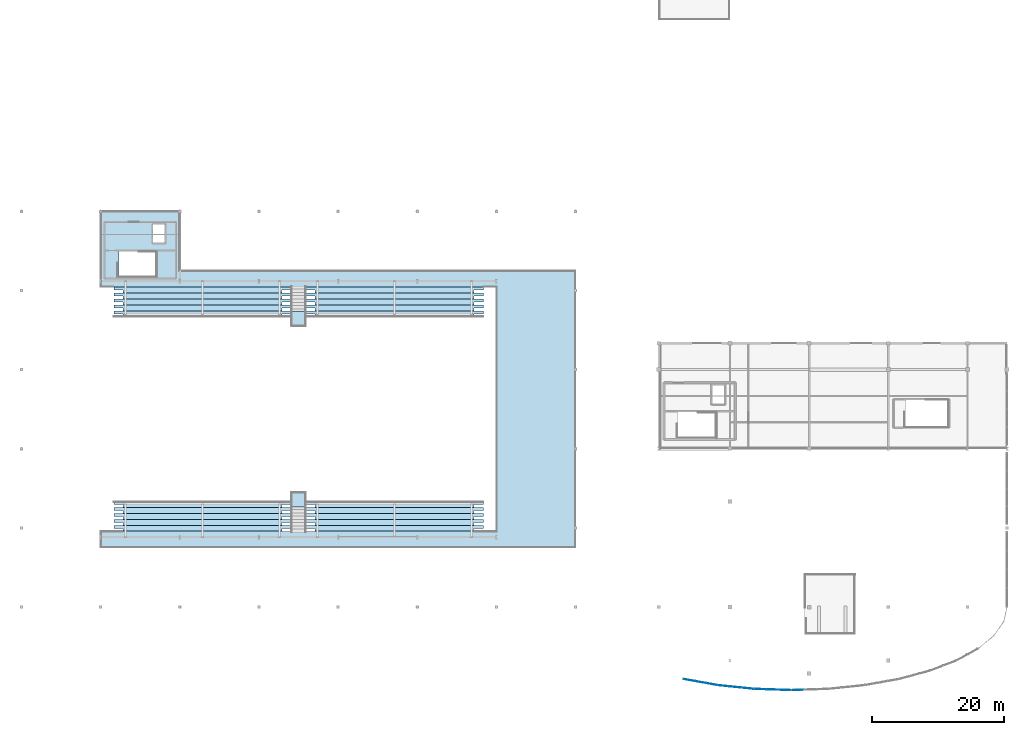
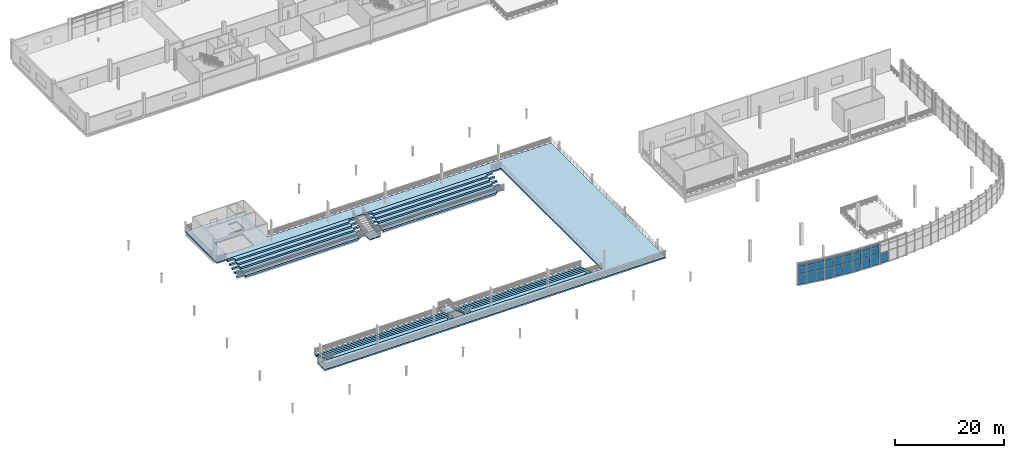
# One storey, part 29 of 52: 28 plates, 23 slabs, 6 elements without a shape of their own.
"""IFC4 building model written with IfcOpenShell, lengths in metres."""

from ifc_helpers import new_model, si_unit, direction, frame, origin, origin_2d, place, context, subcontext, project, spatial, polyline, rectangle, outline, extrude, material, layer, layer_set, type_object, element, aggregate, save


model = new_model("IFC4")

# Units and contexts
model_context = context("Model", 3, precision=1e-05, world=origin(), true_north=direction((0.0, 1.0)))
body_context = subcontext(model_context, "Body", "Model", "MODEL_VIEW")
ifc_project = project(units=[si_unit("LENGTHUNIT", "METRE"), si_unit("AREAUNIT", "SQUARE_METRE"), si_unit("VOLUMEUNIT", "CUBIC_METRE"), si_unit("PLANEANGLEUNIT", "RADIAN"), si_unit("MASSUNIT", "GRAM", prefix="KILO"), si_unit("THERMODYNAMICTEMPERATUREUNIT", "KELVIN"), si_unit("POWERUNIT", "WATT")], contexts=[model_context])

# Site, building, storey
site_placement = place(None, origin())
site = spatial("IfcSite", under=ifc_project, at=site_placement, CompositionType="ELEMENT")
building_placement = place(site_placement, origin())
building = spatial("IfcBuilding", under=site, at=building_placement, Name="Solmara Park Aquatics Centre", CompositionType="ELEMENT")
storey_placement = place(building_placement, frame((0.0, 0.0, 9.60009765625)))
storey = spatial("IfcBuildingStorey", under=building, at=storey_placement, Name="L02", CompositionType="ELEMENT", Elevation=9.60009765625)

# Curtain wall, plates
ifc_material_1 = material(Name="Anodised Aluminium Curtain Wall Framing", Category="aluminium")
curtain_wall_type = type_object("IfcCurtainWallType", Name="ARC-CW-SYS03", PredefinedType="USERDEFINED", material=ifc_material_1)
curtain_wall_1_placement = place(storey_placement, origin())
curtain_wall_1 = element("IfcCurtainWall", 1, at=curtain_wall_1_placement, inside=storey, type_object=curtain_wall_type, Name="Curtain Wall CW-039", ObjectType="CURTAIN WALL", PredefinedType="USERDEFINED")
ifc_material_2 = material(Name="Acoustic Laminated Glazing", Category="glass")
ifc_layer_1 = layer(ifc_material_2, 0.028076171875, Name="Acoustic Laminated Glazing")
ifc_layer_set_1 = layer_set([ifc_layer_1], Name="Acoustic Laminated Glazing")
plate_type_1 = type_object("IfcPlateType", Name="ARC-CWP-GLZ28-1640x1520", PredefinedType="CURTAIN_PANEL", material=ifc_layer_set_1)
plate_1_placement = place(storey_placement, frame((113.817626953125, 1.5322265625, 2.489990234375), z_axis=(0.0, 0.0, 1.0), x_axis=(0.9842385399, -0.176845968502, 0.0)))
plate_1 = element("IfcPlate", 2, at=plate_1_placement, type_object=plate_type_1, Name="CW-039 panel 2", PredefinedType="CURTAIN_PANEL", context=body_context, shape_type="SweptSolid", body=[
    extrude(rectangle(XDim=1.642822265625, YDim=0.028076171875, at=origin_2d()), origin(), (0.0, 0.0, 1.0), 1.52001953125),
])
plate_2_placement = place(storey_placement, frame((115.51318359375, 1.2275390625, 2.489990234375), z_axis=(0.0, 0.0, 1.0), x_axis=(0.9842385399, -0.176845968502, 0.0)))
plate_2 = element("IfcPlate", 3, at=plate_2_placement, type_object=plate_type_1, Name="CW-039 panel 5", PredefinedType="CURTAIN_PANEL", context=body_context, shape_type="SweptSolid", body=[
    extrude(rectangle(XDim=1.642822265625, YDim=0.028076171875, at=origin_2d()), origin(), (0.0, 0.0, 1.0), 1.52001953125),
])
plate_3_placement = place(storey_placement, frame((117.208984375, 0.9228515625, 2.489990234375), z_axis=(0.0, 0.0, 1.0), x_axis=(0.9842385399, -0.176845968502, 0.0)))
plate_3 = element("IfcPlate", 4, at=plate_3_placement, type_object=plate_type_1, Name="CW-039 panel 8", PredefinedType="CURTAIN_PANEL", context=body_context, shape_type="SweptSolid", body=[
    extrude(rectangle(XDim=1.642822265625, YDim=0.028076171875, at=origin_2d()), origin(), (0.0, 0.0, 1.0), 1.52001953125),
])
ifc_layer_2 = layer(ifc_material_2, 0.028076171875, Name="Acoustic Laminated Glazing")
ifc_layer_set_2 = layer_set([ifc_layer_2], Name="Acoustic Laminated Glazing")
plate_type_2 = type_object("IfcPlateType", Name="ARC-CWP-GLZ28-1640x2320", PredefinedType="CURTAIN_PANEL", material=ifc_layer_set_2)
plate_4_placement = place(storey_placement, frame((113.817626953125, 1.5322265625, 0.079833984375), z_axis=(0.0, 0.0, 1.0), x_axis=(0.9842385399, -0.176845968502, 0.0)))
plate_4 = element("IfcPlate", 5, at=plate_4_placement, type_object=plate_type_2, Name="CW-039 panel 1", PredefinedType="CURTAIN_PANEL", context=body_context, shape_type="SweptSolid", body=[
    extrude(rectangle(XDim=1.642822265625, YDim=0.028076171875, at=origin_2d()), origin(), (0.0, 0.0, 1.0), 2.330078125),
])
plate_5_placement = place(storey_placement, frame((115.51318359375, 1.2275390625, 0.079833984375), z_axis=(0.0, 0.0, 1.0), x_axis=(0.9842385399, -0.176845968502, 0.0)))
plate_5 = element("IfcPlate", 6, at=plate_5_placement, type_object=plate_type_2, Name="CW-039 panel 4", PredefinedType="CURTAIN_PANEL", context=body_context, shape_type="SweptSolid", body=[
    extrude(rectangle(XDim=1.642822265625, YDim=0.028076171875, at=origin_2d()), origin(), (0.0, 0.0, 1.0), 2.330078125),
])
plate_6_placement = place(storey_placement, frame((117.208984375, 0.9228515625, 0.079833984375), z_axis=(0.0, 0.0, 1.0), x_axis=(0.9842385399, -0.176845968502, 0.0)))
plate_6 = element("IfcPlate", 7, at=plate_6_placement, type_object=plate_type_2, Name="CW-039 panel 7", PredefinedType="CURTAIN_PANEL", context=body_context, shape_type="SweptSolid", body=[
    extrude(rectangle(XDim=1.642822265625, YDim=0.028076171875, at=origin_2d()), origin(), (0.0, 0.0, 1.0), 2.330078125),
])

curtain_wall_2_placement = place(storey_placement, origin())
curtain_wall_2 = element("IfcCurtainWall", 8, at=curtain_wall_2_placement, inside=storey, type_object=curtain_wall_type, Name="Curtain Wall CW-042", ObjectType="CURTAIN WALL", PredefinedType="USERDEFINED")
ifc_layer_3 = layer(ifc_material_2, 0.028076171875, Name="Acoustic Laminated Glazing")
ifc_layer_set_3 = layer_set([ifc_layer_3], Name="Acoustic Laminated Glazing")
plate_type_3 = type_object("IfcPlateType", Name="ARC-CWP-GLZ28-1740x1520", PredefinedType="CURTAIN_PANEL", material=ifc_layer_set_3)
plate_7_placement = place(storey_placement, frame((119.040283203125, 0.664306640625, 2.489990234375), z_axis=(0.0, 0.0, 1.0), x_axis=(0.994711425154, -0.102709204398, 0.0)))
plate_7 = element("IfcPlate", 9, at=plate_7_placement, type_object=plate_type_3, Name="CW-042 panel 2", PredefinedType="CURTAIN_PANEL", context=body_context, shape_type="SweptSolid", body=[
    extrude(rectangle(XDim=1.73828125, YDim=0.028076171875, at=origin_2d()), origin(), (0.0, 0.0, 1.0), 1.52001953125),
])
plate_8_placement = place(storey_placement, frame((120.848876953125, 0.477783203125, 2.489990234375), z_axis=(0.0, 0.0, 1.0), x_axis=(0.994711425154, -0.102709204398, 0.0)))
plate_8 = element("IfcPlate", 10, at=plate_8_placement, type_object=plate_type_3, Name="CW-042 panel 5", PredefinedType="CURTAIN_PANEL", context=body_context, shape_type="SweptSolid", body=[
    extrude(rectangle(XDim=1.73828125, YDim=0.028076171875, at=origin_2d()), origin(), (0.0, 0.0, 1.0), 1.52001953125),
])
plate_9_placement = place(storey_placement, frame((122.65771484375, 0.291015625, 2.489990234375), z_axis=(0.0, 0.0, 1.0), x_axis=(0.994711425154, -0.102709204398, 0.0)))
plate_9 = element("IfcPlate", 11, at=plate_9_placement, type_object=plate_type_3, Name="CW-042 panel 8", PredefinedType="CURTAIN_PANEL", context=body_context, shape_type="SweptSolid", body=[
    extrude(rectangle(XDim=1.73828125, YDim=0.028076171875, at=origin_2d()), origin(), (0.0, 0.0, 1.0), 1.52001953125),
])
ifc_layer_4 = layer(ifc_material_2, 0.028076171875, Name="Acoustic Laminated Glazing")
ifc_layer_set_4 = layer_set([ifc_layer_4], Name="Acoustic Laminated Glazing")
plate_type_4 = type_object("IfcPlateType", Name="ARC-CWP-GLZ28-1740x2320", PredefinedType="CURTAIN_PANEL", material=ifc_layer_set_4)
plate_10_placement = place(storey_placement, frame((119.040283203125, 0.664306640625, 0.079833984375), z_axis=(0.0, 0.0, 1.0), x_axis=(0.994711425154, -0.102709204398, 0.0)))
plate_10 = element("IfcPlate", 12, at=plate_10_placement, type_object=plate_type_4, Name="CW-042 panel 1", PredefinedType="CURTAIN_PANEL", context=body_context, shape_type="SweptSolid", body=[
    extrude(rectangle(XDim=1.73828125, YDim=0.028076171875, at=origin_2d()), origin(), (0.0, 0.0, 1.0), 2.330078125),
])
plate_11_placement = place(storey_placement, frame((120.848876953125, 0.477783203125, 0.079833984375), z_axis=(0.0, 0.0, 1.0), x_axis=(0.994711425154, -0.102709204398, 0.0)))
plate_11 = element("IfcPlate", 13, at=plate_11_placement, type_object=plate_type_4, Name="CW-042 panel 4", PredefinedType="CURTAIN_PANEL", context=body_context, shape_type="SweptSolid", body=[
    extrude(rectangle(XDim=1.73828125, YDim=0.028076171875, at=origin_2d()), origin(), (0.0, 0.0, 1.0), 2.330078125),
])
plate_12_placement = place(storey_placement, frame((122.65771484375, 0.291015625, 0.079833984375), z_axis=(0.0, 0.0, 1.0), x_axis=(0.994711425154, -0.102709204398, 0.0)))
plate_12 = element("IfcPlate", 14, at=plate_12_placement, type_object=plate_type_4, Name="CW-042 panel 7", PredefinedType="CURTAIN_PANEL", context=body_context, shape_type="SweptSolid", body=[
    extrude(rectangle(XDim=1.73828125, YDim=0.028076171875, at=origin_2d()), origin(), (0.0, 0.0, 1.0), 2.330078125),
])

curtain_wall_3_placement = place(storey_placement, origin())
curtain_wall_3 = element("IfcCurtainWall", 15, at=curtain_wall_3_placement, inside=storey, type_object=curtain_wall_type, Name="Curtain Wall CW-045", ObjectType="CURTAIN WALL", PredefinedType="USERDEFINED")
ifc_layer_5 = layer(ifc_material_2, 0.028076171875, Name="Acoustic Laminated Glazing")
ifc_layer_set_5 = layer_set([ifc_layer_5], Name="Acoustic Laminated Glazing")
plate_type_5 = type_object("IfcPlateType", Name="ARC-CWP-GLZ28-1780x1520", PredefinedType="CURTAIN_PANEL", material=ifc_layer_set_5)
plate_13_placement = place(storey_placement, frame((124.57470703125, 0.1591796875, 2.489990234375), z_axis=(0.0, 0.0, 1.0), x_axis=(0.999432366194, -0.033688950762, 0.0)))
plate_13 = element("IfcPlate", 16, at=plate_13_placement, type_object=plate_type_5, Name="CW-045 panel 2", PredefinedType="CURTAIN_PANEL", context=body_context, shape_type="SweptSolid", body=[
    extrude(rectangle(XDim=1.787109375, YDim=0.028076171875, at=origin_2d()), origin(), (0.0, 0.0, 1.0), 1.52001953125),
])
plate_14_placement = place(storey_placement, frame((126.44091796875, 0.096435546875, 2.489990234375), z_axis=(0.0, 0.0, 1.0), x_axis=(0.999432366194, -0.033688950762, 0.0)))
plate_14 = element("IfcPlate", 17, at=plate_14_placement, type_object=plate_type_5, Name="CW-045 panel 5", PredefinedType="CURTAIN_PANEL", context=body_context, shape_type="SweptSolid", body=[
    extrude(rectangle(XDim=1.787109375, YDim=0.028076171875, at=origin_2d()), origin(), (0.0, 0.0, 1.0), 1.52001953125),
])
plate_15_placement = place(storey_placement, frame((128.306884765625, 0.033447265625, 2.489990234375), z_axis=(0.0, 0.0, 1.0), x_axis=(0.999432366194, -0.033688950762, 0.0)))
plate_15 = element("IfcPlate", 18, at=plate_15_placement, type_object=plate_type_5, Name="CW-045 panel 8", PredefinedType="CURTAIN_PANEL", context=body_context, shape_type="SweptSolid", body=[
    extrude(rectangle(XDim=1.787109375, YDim=0.028076171875, at=origin_2d()), origin(), (0.0, 0.0, 1.0), 1.52001953125),
])
ifc_layer_6 = layer(ifc_material_2, 0.028076171875, Name="Acoustic Laminated Glazing")
ifc_layer_set_6 = layer_set([ifc_layer_6], Name="Acoustic Laminated Glazing")
plate_type_6 = type_object("IfcPlateType", Name="ARC-CWP-GLZ28-1780x2320", PredefinedType="CURTAIN_PANEL", material=ifc_layer_set_6)
plate_16_placement = place(storey_placement, frame((124.57470703125, 0.1591796875, 0.079833984375), z_axis=(0.0, 0.0, 1.0), x_axis=(0.999432366194, -0.033688950762, 0.0)))
plate_16 = element("IfcPlate", 19, at=plate_16_placement, type_object=plate_type_6, Name="CW-045 panel 1", PredefinedType="CURTAIN_PANEL", context=body_context, shape_type="SweptSolid", body=[
    extrude(rectangle(XDim=1.787109375, YDim=0.028076171875, at=origin_2d()), origin(), (0.0, 0.0, 1.0), 2.330078125),
])
plate_17_placement = place(storey_placement, frame((126.44091796875, 0.096435546875, 0.079833984375), z_axis=(0.0, 0.0, 1.0), x_axis=(0.999432366194, -0.033688950762, 0.0)))
plate_17 = element("IfcPlate", 20, at=plate_17_placement, type_object=plate_type_6, Name="CW-045 panel 4", PredefinedType="CURTAIN_PANEL", context=body_context, shape_type="SweptSolid", body=[
    extrude(rectangle(XDim=1.787109375, YDim=0.028076171875, at=origin_2d()), origin(), (0.0, 0.0, 1.0), 2.330078125),
])
plate_18_placement = place(storey_placement, frame((128.306884765625, 0.033447265625, 0.079833984375), z_axis=(0.0, 0.0, 1.0), x_axis=(0.999432366194, -0.033688950762, 0.0)))
plate_18 = element("IfcPlate", 21, at=plate_18_placement, type_object=plate_type_6, Name="CW-045 panel 7", PredefinedType="CURTAIN_PANEL", context=body_context, shape_type="SweptSolid", body=[
    extrude(rectangle(XDim=1.787109375, YDim=0.028076171875, at=origin_2d()), origin(), (0.0, 0.0, 1.0), 2.330078125),
])

# Curtain wall, plate
curtain_wall_4_placement = place(storey_placement, origin())
curtain_wall_4 = element("IfcCurtainWall", 22, at=curtain_wall_4_placement, inside=storey, type_object=curtain_wall_type, Name="Curtain Wall CW-048", ObjectType="CURTAIN WALL", PredefinedType="USERDEFINED")
plate_19_placement = place(storey_placement, frame((130.253173828125, 0.031982421875, 0.079833984375), z_axis=(0.0, 0.0, 1.0), x_axis=(0.999432366194, 0.033688950762, 0.0)))
plate_19 = element("IfcPlate", 23, at=plate_19_placement, type_object=plate_type_6, Name="CW-048 panel 1", PredefinedType="CURTAIN_PANEL", context=body_context, shape_type="SweptSolid", body=[
    extrude(rectangle(XDim=1.787109375, YDim=0.028076171875, at=origin_2d()), origin(), (0.0, 0.0, 1.0), 2.330078125),
])
aggregate(curtain_wall_4, [plate_19])

# Plate
ifc_material_3 = material(Name="Insulated Anodised Aluminium Spandrel Panel", Category="aluminium")
ifc_layer_7 = layer(ifc_material_3, 0.0439453125, Name="Insulated Anodised Aluminium Spandrel Panel")
ifc_layer_set_7 = layer_set([ifc_layer_7], Name="Insulated Anodised Aluminium Spandrel Panel")
plate_type_7 = type_object("IfcPlateType", Name="ARC-CWP-SPN44-1640x640", PredefinedType="CURTAIN_PANEL", material=ifc_layer_set_7)
plate_20_placement = place(storey_placement, frame((113.817626953125, 1.5322265625, 4.08984375), z_axis=(0.0, 0.0, 1.0), x_axis=(0.9842385399, -0.176845968502, 0.0)))
plate_20 = element("IfcPlate", 24, at=plate_20_placement, type_object=plate_type_7, Name="CW-039 panel 3", PredefinedType="CURTAIN_PANEL", context=body_context, shape_type="SweptSolid", body=[
    extrude(rectangle(XDim=1.642822265625, YDim=0.0439453125, at=origin_2d()), origin(), (0.0, 0.0, 1.0), 0.6298828125),
])

plate_21_placement = place(storey_placement, frame((115.51318359375, 1.2275390625, 4.08984375), z_axis=(0.0, 0.0, 1.0), x_axis=(0.9842385399, -0.176845968502, 0.0)))
plate_21 = element("IfcPlate", 25, at=plate_21_placement, type_object=plate_type_7, Name="CW-039 panel 6", PredefinedType="CURTAIN_PANEL", context=body_context, shape_type="SweptSolid", body=[
    extrude(rectangle(XDim=1.642822265625, YDim=0.0439453125, at=origin_2d()), origin(), (0.0, 0.0, 1.0), 0.6298828125),
])

plate_22_placement = place(storey_placement, frame((117.208984375, 0.9228515625, 4.08984375), z_axis=(0.0, 0.0, 1.0), x_axis=(0.9842385399, -0.176845968502, 0.0)))
plate_22 = element("IfcPlate", 26, at=plate_22_placement, type_object=plate_type_7, Name="CW-039 panel 9", PredefinedType="CURTAIN_PANEL", context=body_context, shape_type="SweptSolid", body=[
    extrude(rectangle(XDim=1.642822265625, YDim=0.0439453125, at=origin_2d()), origin(), (0.0, 0.0, 1.0), 0.6298828125),
])

aggregate(curtain_wall_1, [plate_4, plate_1, plate_20, plate_5, plate_2, plate_21, plate_6, plate_3, plate_22])

ifc_layer_8 = layer(ifc_material_3, 0.0439453125, Name="Insulated Anodised Aluminium Spandrel Panel")
ifc_layer_set_8 = layer_set([ifc_layer_8], Name="Insulated Anodised Aluminium Spandrel Panel")
plate_type_8 = type_object("IfcPlateType", Name="ARC-CWP-SPN44-1740x640", PredefinedType="CURTAIN_PANEL", material=ifc_layer_set_8)
plate_23_placement = place(storey_placement, frame((119.040283203125, 0.664306640625, 4.08984375), z_axis=(0.0, 0.0, 1.0), x_axis=(0.994711425154, -0.102709204398, 0.0)))
plate_23 = element("IfcPlate", 27, at=plate_23_placement, type_object=plate_type_8, Name="CW-042 panel 3", PredefinedType="CURTAIN_PANEL", context=body_context, shape_type="SweptSolid", body=[
    extrude(rectangle(XDim=1.73828125, YDim=0.0439453125, at=origin_2d()), origin(), (0.0, 0.0, 1.0), 0.6298828125),
])

plate_24_placement = place(storey_placement, frame((120.848876953125, 0.477783203125, 4.08984375), z_axis=(0.0, 0.0, 1.0), x_axis=(0.994711425154, -0.102709204398, 0.0)))
plate_24 = element("IfcPlate", 28, at=plate_24_placement, type_object=plate_type_8, Name="CW-042 panel 6", PredefinedType="CURTAIN_PANEL", context=body_context, shape_type="SweptSolid", body=[
    extrude(rectangle(XDim=1.73828125, YDim=0.0439453125, at=origin_2d()), origin(), (0.0, 0.0, 1.0), 0.6298828125),
])

plate_25_placement = place(storey_placement, frame((122.65771484375, 0.291015625, 4.08984375), z_axis=(0.0, 0.0, 1.0), x_axis=(0.994711425154, -0.102709204398, 0.0)))
plate_25 = element("IfcPlate", 29, at=plate_25_placement, type_object=plate_type_8, Name="CW-042 panel 9", PredefinedType="CURTAIN_PANEL", context=body_context, shape_type="SweptSolid", body=[
    extrude(rectangle(XDim=1.73828125, YDim=0.0439453125, at=origin_2d()), origin(), (0.0, 0.0, 1.0), 0.6298828125),
])

aggregate(curtain_wall_2, [plate_10, plate_7, plate_23, plate_11, plate_8, plate_24, plate_12, plate_9, plate_25])

ifc_layer_9 = layer(ifc_material_3, 0.0439453125, Name="Insulated Anodised Aluminium Spandrel Panel")
ifc_layer_set_9 = layer_set([ifc_layer_9], Name="Insulated Anodised Aluminium Spandrel Panel")
plate_type_9 = type_object("IfcPlateType", Name="ARC-CWP-SPN44-1780x640", PredefinedType="CURTAIN_PANEL", material=ifc_layer_set_9)
plate_26_placement = place(storey_placement, frame((124.57470703125, 0.1591796875, 4.08984375), z_axis=(0.0, 0.0, 1.0), x_axis=(0.999432366194, -0.033688950762, 0.0)))
plate_26 = element("IfcPlate", 30, at=plate_26_placement, type_object=plate_type_9, Name="CW-045 panel 3", PredefinedType="CURTAIN_PANEL", context=body_context, shape_type="SweptSolid", body=[
    extrude(rectangle(XDim=1.787109375, YDim=0.0439453125, at=origin_2d()), origin(), (0.0, 0.0, 1.0), 0.6298828125),
])

plate_27_placement = place(storey_placement, frame((126.44091796875, 0.096435546875, 4.08984375), z_axis=(0.0, 0.0, 1.0), x_axis=(0.999432366194, -0.033688950762, 0.0)))
plate_27 = element("IfcPlate", 31, at=plate_27_placement, type_object=plate_type_9, Name="CW-045 panel 6", PredefinedType="CURTAIN_PANEL", context=body_context, shape_type="SweptSolid", body=[
    extrude(rectangle(XDim=1.787109375, YDim=0.0439453125, at=origin_2d()), origin(), (0.0, 0.0, 1.0), 0.6298828125),
])

plate_28_placement = place(storey_placement, frame((128.306884765625, 0.033447265625, 4.08984375), z_axis=(0.0, 0.0, 1.0), x_axis=(0.999432366194, -0.033688950762, 0.0)))
plate_28 = element("IfcPlate", 32, at=plate_28_placement, type_object=plate_type_9, Name="CW-045 panel 9", PredefinedType="CURTAIN_PANEL", context=body_context, shape_type="SweptSolid", body=[
    extrude(rectangle(XDim=1.787109375, YDim=0.0439453125, at=origin_2d()), origin(), (0.0, 0.0, 1.0), 0.6298828125),
])

aggregate(curtain_wall_3, [plate_16, plate_13, plate_26, plate_17, plate_14, plate_27, plate_18, plate_15, plate_28])

# Stair, slab
ifc_material_4 = material(Name="Concrete C40/50", Category="concrete")
stair_type = type_object("IfcStairType", Name="ARC-ST-VOM2", PredefinedType="STRAIGHT_RUN_STAIR", material=ifc_material_4)
stair_1_placement = place(storey_placement, origin())
stair_1 = element("IfcStair", 33, at=stair_1_placement, inside=storey, type_object=stair_type, Name="Vomitory Stair VS-05", PredefinedType="STRAIGHT_RUN_STAIR")
ifc_layer_10 = layer(ifc_material_4, 0.219970703125, Name="Concrete C40/50")
ifc_layer_set_10 = layer_set([ifc_layer_10], Name="Concrete C40/50")
slab_type_1 = type_object("IfcSlabType", Name="ARC-SLB-LND220", PredefinedType="LANDING", material=ifc_layer_set_10)
slab_1_placement = place(storey_placement, frame((0.0, 0.0, -1.66015625)))
slab_1 = element("IfcSlab", 34, at=slab_1_placement, type_object=slab_type_1, Name="VS-05 landing 1", PredefinedType="LANDING", context=body_context, shape_type="SweptSolid", body=[
    extrude(outline(polyline([(53.5, 55.22998046875), (55.699951171875, 55.22998046875), (55.699951171875, 57.409912109375), (53.5, 57.409912109375), (53.5, 55.22998046875)])), origin(), (0.0, 0.0, 1.0), 0.219970703125),
])
aggregate(stair_1, [slab_1])

stair_2_placement = place(storey_placement, origin())
stair_2 = element("IfcStair", 35, at=stair_2_placement, inside=storey, type_object=stair_type, Name="Vomitory Stair VS-06", PredefinedType="STRAIGHT_RUN_STAIR")
slab_2_placement = place(storey_placement, frame((0.0, 0.0, -1.66015625)))
slab_2 = element("IfcSlab", 36, at=slab_2_placement, type_object=slab_type_1, Name="VS-06 landing 1", PredefinedType="LANDING", context=body_context, shape_type="SweptSolid", body=[
    extrude(outline(polyline([(53.5, 27.7900390625), (55.699951171875, 27.7900390625), (55.699951171875, 29.969970703125), (53.5, 29.969970703125), (53.5, 27.7900390625)])), origin(), (0.0, 0.0, 1.0), 0.219970703125),
])
aggregate(stair_2, [slab_2])

# Slabs
ifc_layer_11 = layer(ifc_material_4, 0.320068359375, Name="Concrete C40/50")
ifc_layer_set_11 = layer_set([ifc_layer_11], Name="Concrete C40/50")
slab_type_2 = type_object("IfcSlabType", Name="STR-SLB-GYM320", PredefinedType="FLOOR", material=ifc_layer_set_11)
slab_3_placement = place(storey_placement, frame((0.0, 0.0, -0.320068359375)))
element("IfcSlab", 37, at=slab_3_placement, inside=storey, type_object=slab_type_2, Name="Competition Hall L02 Upper Hospitality Concourse", PredefinedType="FLOOR", context=body_context, shape_type="SweptSolid", body=[
    extrude(outline(polyline([(24.60009765625, 21.60009765625), (96.60009765625, 21.60009765625), (96.60009765625, 63.60009765625), (36.60009765625, 63.60009765625), (36.60009765625, 72.60009765625), (24.60009765625, 72.60009765625), (24.60009765625, 61.10009765625), (84.60009765625, 61.10009765625), (84.60009765625, 24.10009765625), (24.60009765625, 24.10009765625), (24.60009765625, 21.60009765625)]), holes=[polyline([(27.35009765625, 62.530029296875), (33.25, 62.530029296875), (33.25, 66.669921875), (27.35009765625, 66.669921875), (27.35009765625, 62.530029296875)]), polyline([(32.52001953125, 67.800048828125), (34.35009765625, 67.800048828125), (34.35009765625, 70.60009765625), (32.52001953125, 70.60009765625), (32.52001953125, 67.800048828125)])]), origin(), (0.0, 0.0, 1.0), 0.320068359375),
])
ifc_material_5 = material(Name="Precast Concrete C40/50", Category="concrete")
ifc_layer_12 = layer(ifc_material_5, 0.3798828125, Name="Precast Concrete C40/50")
ifc_layer_set_12 = layer_set([ifc_layer_12], Name="Precast Concrete C40/50")
slab_type_3 = type_object("IfcSlabType", Name="STR-SLB-TIER380", PredefinedType="USERDEFINED", material=ifc_layer_set_12)
slab_4_placement = place(storey_placement, frame((0.0, 0.0, -1.820068359375)))
element("IfcSlab", 38, at=slab_4_placement, inside=storey, type_object=slab_type_3, Name="Stand Upper Tier N Bay 1 Row 1", ObjectType="SEATING TIER", PredefinedType="USERDEFINED", context=body_context, shape_type="SweptSolid", body=[
    extrude(outline(polyline([(28.0, 56.60009765625), (52.10009765625, 56.60009765625), (52.10009765625, 57.050048828125), (53.5, 57.050048828125), (53.5, 57.5), (26.60009765625, 57.5), (26.60009765625, 57.050048828125), (28.0, 57.050048828125), (28.0, 56.60009765625)])), origin(), (0.0, 0.0, 1.0), 0.3798828125),
])
slab_5_placement = place(storey_placement, frame((0.0, 0.0, -1.460205078125)))
element("IfcSlab", 39, at=slab_5_placement, inside=storey, type_object=slab_type_3, Name="Stand Upper Tier N Bay 1 Row 2", ObjectType="SEATING TIER", PredefinedType="USERDEFINED", context=body_context, shape_type="SweptSolid", body=[
    extrude(outline(polyline([(28.0, 57.5), (52.10009765625, 57.5), (52.10009765625, 57.949951171875), (53.5, 57.949951171875), (53.5, 58.39990234375), (26.60009765625, 58.39990234375), (26.60009765625, 57.949951171875), (28.0, 57.949951171875), (28.0, 57.5)])), origin(), (0.0, 0.0, 1.0), 0.380126953125),
])
slab_6_placement = place(storey_placement, frame((0.0, 0.0, -1.10009765625)))
element("IfcSlab", 40, at=slab_6_placement, inside=storey, type_object=slab_type_3, Name="Stand Upper Tier N Bay 1 Row 3", ObjectType="SEATING TIER", PredefinedType="USERDEFINED", context=body_context, shape_type="SweptSolid", body=[
    extrude(outline(polyline([(28.0, 58.39990234375), (52.10009765625, 58.39990234375), (52.10009765625, 58.85009765625), (53.5, 58.85009765625), (53.5, 59.300048828125), (26.60009765625, 59.300048828125), (26.60009765625, 58.85009765625), (28.0, 58.85009765625), (28.0, 58.39990234375)])), origin(), (0.0, 0.0, 1.0), 0.3798828125),
])
slab_7_placement = place(storey_placement, frame((0.0, 0.0, -0.739990234375)))
element("IfcSlab", 41, at=slab_7_placement, inside=storey, type_object=slab_type_3, Name="Stand Upper Tier N Bay 1 Row 4", ObjectType="SEATING TIER", PredefinedType="USERDEFINED", context=body_context, shape_type="SweptSolid", body=[
    extrude(outline(polyline([(28.0, 59.300048828125), (52.10009765625, 59.300048828125), (52.10009765625, 59.75), (53.5, 59.75), (53.5, 60.199951171875), (26.60009765625, 60.199951171875), (26.60009765625, 59.75), (28.0, 59.75), (28.0, 59.300048828125)])), origin(), (0.0, 0.0, 1.0), 0.3798828125),
])
slab_8_placement = place(storey_placement, frame((0.0, 0.0, -0.380126953125)))
element("IfcSlab", 42, at=slab_8_placement, inside=storey, type_object=slab_type_3, Name="Stand Upper Tier N Bay 1 Row 5", ObjectType="SEATING TIER", PredefinedType="USERDEFINED", context=body_context, shape_type="SweptSolid", body=[
    extrude(outline(polyline([(28.0, 60.199951171875), (52.10009765625, 60.199951171875), (52.10009765625, 60.64990234375), (53.5, 60.64990234375), (53.5, 61.10009765625), (26.60009765625, 61.10009765625), (26.60009765625, 60.64990234375), (28.0, 60.64990234375), (28.0, 60.199951171875)])), origin(), (0.0, 0.0, 1.0), 0.380126953125),
])
slab_9_placement = place(storey_placement, frame((0.0, 0.0, -1.820068359375)))
element("IfcSlab", 43, at=slab_9_placement, inside=storey, type_object=slab_type_3, Name="Stand Upper Tier N Bay 2 Row 1", ObjectType="SEATING TIER", PredefinedType="USERDEFINED", context=body_context, shape_type="SweptSolid", body=[
    extrude(outline(polyline([(57.10009765625, 56.60009765625), (81.199951171875, 56.60009765625), (81.199951171875, 57.050048828125), (82.60009765625, 57.050048828125), (82.60009765625, 57.5), (55.699951171875, 57.5), (55.699951171875, 57.050048828125), (57.10009765625, 57.050048828125), (57.10009765625, 56.60009765625)])), origin(), (0.0, 0.0, 1.0), 0.3798828125),
])
slab_10_placement = place(storey_placement, frame((0.0, 0.0, -1.460205078125)))
element("IfcSlab", 44, at=slab_10_placement, inside=storey, type_object=slab_type_3, Name="Stand Upper Tier N Bay 2 Row 2", ObjectType="SEATING TIER", PredefinedType="USERDEFINED", context=body_context, shape_type="SweptSolid", body=[
    extrude(outline(polyline([(57.10009765625, 57.5), (81.199951171875, 57.5), (81.199951171875, 57.949951171875), (82.60009765625, 57.949951171875), (82.60009765625, 58.39990234375), (55.699951171875, 58.39990234375), (55.699951171875, 57.949951171875), (57.10009765625, 57.949951171875), (57.10009765625, 57.5)])), origin(), (0.0, 0.0, 1.0), 0.380126953125),
])
slab_11_placement = place(storey_placement, frame((0.0, 0.0, -1.10009765625)))
element("IfcSlab", 45, at=slab_11_placement, inside=storey, type_object=slab_type_3, Name="Stand Upper Tier N Bay 2 Row 3", ObjectType="SEATING TIER", PredefinedType="USERDEFINED", context=body_context, shape_type="SweptSolid", body=[
    extrude(outline(polyline([(57.10009765625, 58.39990234375), (81.199951171875, 58.39990234375), (81.199951171875, 58.85009765625), (82.60009765625, 58.85009765625), (82.60009765625, 59.300048828125), (55.699951171875, 59.300048828125), (55.699951171875, 58.85009765625), (57.10009765625, 58.85009765625), (57.10009765625, 58.39990234375)])), origin(), (0.0, 0.0, 1.0), 0.3798828125),
])
slab_12_placement = place(storey_placement, frame((0.0, 0.0, -0.739990234375)))
element("IfcSlab", 46, at=slab_12_placement, inside=storey, type_object=slab_type_3, Name="Stand Upper Tier N Bay 2 Row 4", ObjectType="SEATING TIER", PredefinedType="USERDEFINED", context=body_context, shape_type="SweptSolid", body=[
    extrude(outline(polyline([(57.10009765625, 59.300048828125), (81.199951171875, 59.300048828125), (81.199951171875, 59.75), (82.60009765625, 59.75), (82.60009765625, 60.199951171875), (55.699951171875, 60.199951171875), (55.699951171875, 59.75), (57.10009765625, 59.75), (57.10009765625, 59.300048828125)])), origin(), (0.0, 0.0, 1.0), 0.3798828125),
])
slab_13_placement = place(storey_placement, frame((0.0, 0.0, -0.380126953125)))
element("IfcSlab", 47, at=slab_13_placement, inside=storey, type_object=slab_type_3, Name="Stand Upper Tier N Bay 2 Row 5", ObjectType="SEATING TIER", PredefinedType="USERDEFINED", context=body_context, shape_type="SweptSolid", body=[
    extrude(outline(polyline([(57.10009765625, 60.199951171875), (81.199951171875, 60.199951171875), (81.199951171875, 60.64990234375), (82.60009765625, 60.64990234375), (82.60009765625, 61.10009765625), (55.699951171875, 61.10009765625), (55.699951171875, 60.64990234375), (57.10009765625, 60.64990234375), (57.10009765625, 60.199951171875)])), origin(), (0.0, 0.0, 1.0), 0.380126953125),
])
slab_14_placement = place(storey_placement, frame((0.0, 0.0, -1.820068359375)))
element("IfcSlab", 48, at=slab_14_placement, inside=storey, type_object=slab_type_3, Name="Stand Upper Tier S Bay 1 Row 1", ObjectType="SEATING TIER", PredefinedType="USERDEFINED", context=body_context, shape_type="SweptSolid", body=[
    extrude(outline(polyline([(28.0, 27.699951171875), (52.10009765625, 27.699951171875), (52.10009765625, 28.14990234375), (53.5, 28.14990234375), (53.5, 28.60009765625), (26.60009765625, 28.60009765625), (26.60009765625, 28.14990234375), (28.0, 28.14990234375), (28.0, 27.699951171875)])), origin(), (0.0, 0.0, 1.0), 0.3798828125),
])
slab_15_placement = place(storey_placement, frame((0.0, 0.0, -1.460205078125)))
element("IfcSlab", 49, at=slab_15_placement, inside=storey, type_object=slab_type_3, Name="Stand Upper Tier S Bay 1 Row 2", ObjectType="SEATING TIER", PredefinedType="USERDEFINED", context=body_context, shape_type="SweptSolid", body=[
    extrude(outline(polyline([(28.0, 26.800048828125), (52.10009765625, 26.800048828125), (52.10009765625, 27.25), (53.5, 27.25), (53.5, 27.699951171875), (26.60009765625, 27.699951171875), (26.60009765625, 27.25), (28.0, 27.25), (28.0, 26.800048828125)])), origin(), (0.0, 0.0, 1.0), 0.380126953125),
])
slab_16_placement = place(storey_placement, frame((0.0, 0.0, -1.10009765625)))
element("IfcSlab", 50, at=slab_16_placement, inside=storey, type_object=slab_type_3, Name="Stand Upper Tier S Bay 1 Row 3", ObjectType="SEATING TIER", PredefinedType="USERDEFINED", context=body_context, shape_type="SweptSolid", body=[
    extrude(outline(polyline([(28.0, 25.89990234375), (52.10009765625, 25.89990234375), (52.10009765625, 26.35009765625), (53.5, 26.35009765625), (53.5, 26.800048828125), (26.60009765625, 26.800048828125), (26.60009765625, 26.35009765625), (28.0, 26.35009765625), (28.0, 25.89990234375)])), origin(), (0.0, 0.0, 1.0), 0.3798828125),
])
slab_17_placement = place(storey_placement, frame((0.0, 0.0, -0.739990234375)))
element("IfcSlab", 51, at=slab_17_placement, inside=storey, type_object=slab_type_3, Name="Stand Upper Tier S Bay 1 Row 4", ObjectType="SEATING TIER", PredefinedType="USERDEFINED", context=body_context, shape_type="SweptSolid", body=[
    extrude(outline(polyline([(28.0, 25.0), (52.10009765625, 25.0), (52.10009765625, 25.449951171875), (53.5, 25.449951171875), (53.5, 25.89990234375), (26.60009765625, 25.89990234375), (26.60009765625, 25.449951171875), (28.0, 25.449951171875), (28.0, 25.0)])), origin(), (0.0, 0.0, 1.0), 0.3798828125),
])
slab_18_placement = place(storey_placement, frame((0.0, 0.0, -0.380126953125)))
element("IfcSlab", 52, at=slab_18_placement, inside=storey, type_object=slab_type_3, Name="Stand Upper Tier S Bay 1 Row 5", ObjectType="SEATING TIER", PredefinedType="USERDEFINED", context=body_context, shape_type="SweptSolid", body=[
    extrude(outline(polyline([(28.0, 24.10009765625), (52.10009765625, 24.10009765625), (52.10009765625, 24.550048828125), (53.5, 24.550048828125), (53.5, 25.0), (26.60009765625, 25.0), (26.60009765625, 24.550048828125), (28.0, 24.550048828125), (28.0, 24.10009765625)])), origin(), (0.0, 0.0, 1.0), 0.380126953125),
])
slab_19_placement = place(storey_placement, frame((0.0, 0.0, -1.820068359375)))
element("IfcSlab", 53, at=slab_19_placement, inside=storey, type_object=slab_type_3, Name="Stand Upper Tier S Bay 2 Row 1", ObjectType="SEATING TIER", PredefinedType="USERDEFINED", context=body_context, shape_type="SweptSolid", body=[
    extrude(outline(polyline([(57.10009765625, 27.699951171875), (81.199951171875, 27.699951171875), (81.199951171875, 28.14990234375), (82.60009765625, 28.14990234375), (82.60009765625, 28.60009765625), (55.699951171875, 28.60009765625), (55.699951171875, 28.14990234375), (57.10009765625, 28.14990234375), (57.10009765625, 27.699951171875)])), origin(), (0.0, 0.0, 1.0), 0.3798828125),
])
slab_20_placement = place(storey_placement, frame((0.0, 0.0, -1.460205078125)))
element("IfcSlab", 54, at=slab_20_placement, inside=storey, type_object=slab_type_3, Name="Stand Upper Tier S Bay 2 Row 2", ObjectType="SEATING TIER", PredefinedType="USERDEFINED", context=body_context, shape_type="SweptSolid", body=[
    extrude(outline(polyline([(57.10009765625, 26.800048828125), (81.199951171875, 26.800048828125), (81.199951171875, 27.25), (82.60009765625, 27.25), (82.60009765625, 27.699951171875), (55.699951171875, 27.699951171875), (55.699951171875, 27.25), (57.10009765625, 27.25), (57.10009765625, 26.800048828125)])), origin(), (0.0, 0.0, 1.0), 0.380126953125),
])
slab_21_placement = place(storey_placement, frame((0.0, 0.0, -1.10009765625)))
element("IfcSlab", 55, at=slab_21_placement, inside=storey, type_object=slab_type_3, Name="Stand Upper Tier S Bay 2 Row 3", ObjectType="SEATING TIER", PredefinedType="USERDEFINED", context=body_context, shape_type="SweptSolid", body=[
    extrude(outline(polyline([(57.10009765625, 25.89990234375), (81.199951171875, 25.89990234375), (81.199951171875, 26.35009765625), (82.60009765625, 26.35009765625), (82.60009765625, 26.800048828125), (55.699951171875, 26.800048828125), (55.699951171875, 26.35009765625), (57.10009765625, 26.35009765625), (57.10009765625, 25.89990234375)])), origin(), (0.0, 0.0, 1.0), 0.3798828125),
])
slab_22_placement = place(storey_placement, frame((0.0, 0.0, -0.739990234375)))
element("IfcSlab", 56, at=slab_22_placement, inside=storey, type_object=slab_type_3, Name="Stand Upper Tier S Bay 2 Row 4", ObjectType="SEATING TIER", PredefinedType="USERDEFINED", context=body_context, shape_type="SweptSolid", body=[
    extrude(outline(polyline([(57.10009765625, 25.0), (81.199951171875, 25.0), (81.199951171875, 25.449951171875), (82.60009765625, 25.449951171875), (82.60009765625, 25.89990234375), (55.699951171875, 25.89990234375), (55.699951171875, 25.449951171875), (57.10009765625, 25.449951171875), (57.10009765625, 25.0)])), origin(), (0.0, 0.0, 1.0), 0.3798828125),
])
slab_23_placement = place(storey_placement, frame((0.0, 0.0, -0.380126953125)))
element("IfcSlab", 57, at=slab_23_placement, inside=storey, type_object=slab_type_3, Name="Stand Upper Tier S Bay 2 Row 5", ObjectType="SEATING TIER", PredefinedType="USERDEFINED", context=body_context, shape_type="SweptSolid", body=[
    extrude(outline(polyline([(57.10009765625, 24.10009765625), (81.199951171875, 24.10009765625), (81.199951171875, 24.550048828125), (82.60009765625, 24.550048828125), (82.60009765625, 25.0), (55.699951171875, 25.0), (55.699951171875, 24.550048828125), (57.10009765625, 24.550048828125), (57.10009765625, 24.10009765625)])), origin(), (0.0, 0.0, 1.0), 0.380126953125),
])

save(model, "model.ifc")
